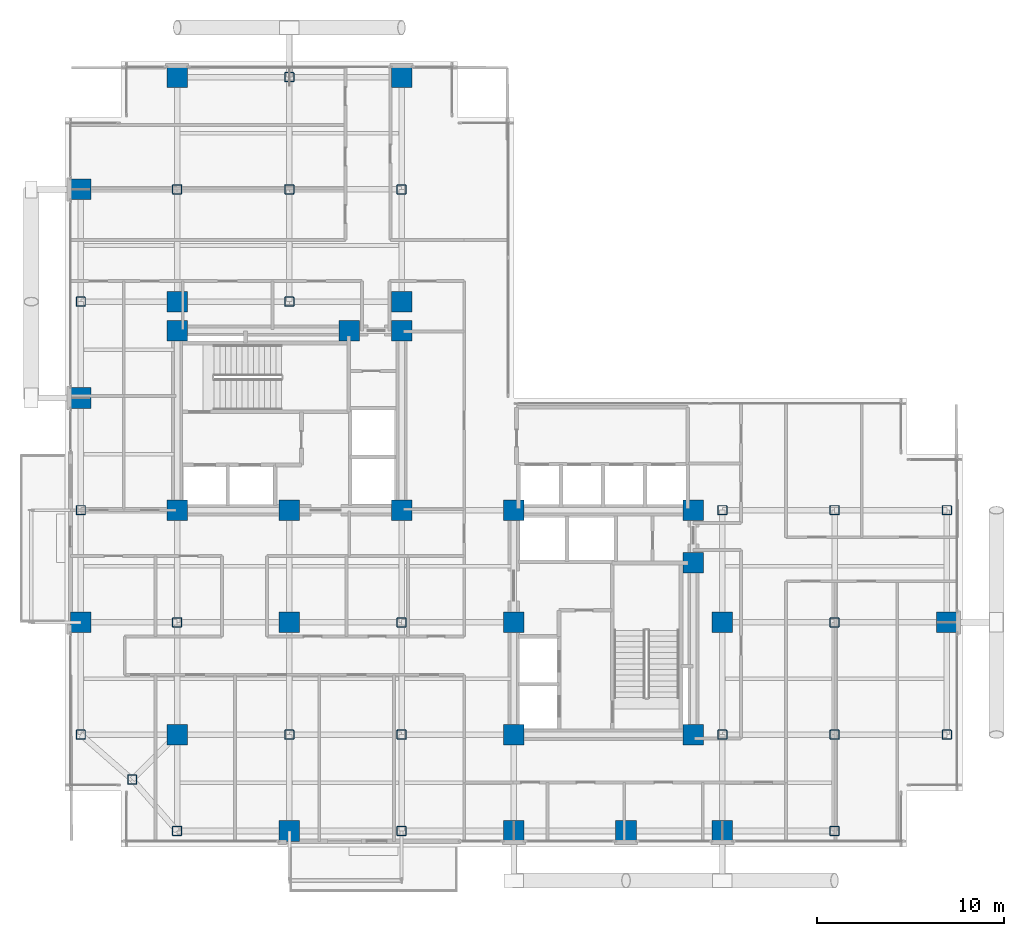
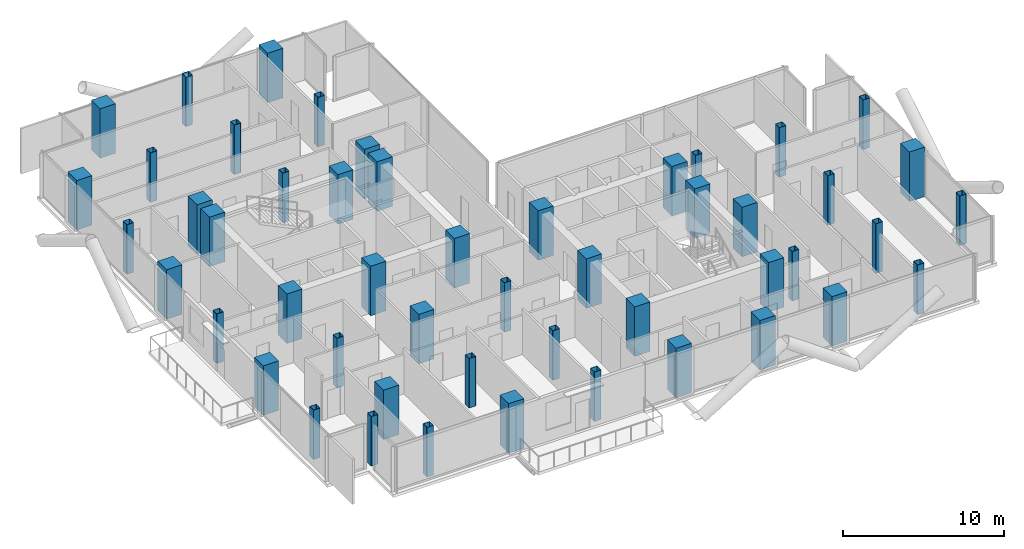
# One storey, part 1 of 24: 50 columns.
"""IFC4 building model written with IfcOpenShell, lengths in metres."""

import ifcopenshell
import ifcopenshell.guid

model = None  # the IFC model being written
_history = None  # IfcOwnerHistory: only IFC2X3 demands one
_inside = {}  # id of a spatial element -> (the spatial element, [elements in it])
_under = {}  # id of a project, library or spatial element -> (it, [spatial elements below it])
_declared = {}  # id of a project -> (the project, [libraries it declares])
_typed = {}  # id of a type object -> (the type object, [elements of that type])
_made_of = {}  # id of a material, layer set ... -> (it, [elements and type objects made of it])


def new_model(schema):
    """Start an empty IFC model of exactly this schema.

    Asked for "IFC4X3", IfcOpenShell would pick the latest addendum, in which some entities
    have other attributes; the version numbers below select the first issue.
    IFC2X3 requires an IfcOwnerHistory on every rooted entity: one is made here for all.
    """
    global model, _history
    if schema == "IFC4X3":
        model = ifcopenshell.file(schema_version=(4, 3, 0, 0))
    else:
        model = ifcopenshell.file(schema=schema)
    _inside.clear()
    _under.clear()
    _declared.clear()
    _typed.clear()
    _made_of.clear()
    _history = None
    if model.schema == "IFC2X3":
        org = make("IfcOrganization", Name="unknown")
        user = make(
            "IfcPersonAndOrganization",
            ThePerson=make("IfcPerson", FamilyName="unknown"),
            TheOrganization=org,
        )
        app = make(
            "IfcApplication",
            ApplicationDeveloper=org,
            Version="unknown",
            ApplicationFullName="unknown",
            ApplicationIdentifier="unknown",
        )
        _history = make(
            "IfcOwnerHistory",
            OwningUser=user,
            OwningApplication=app,
            ChangeAction="ADDED",
            CreationDate=0,
        )
    return model


def make(cls, **values):
    """One entity of the class cls with the attributes given. An attribute that is None is left unset."""
    return model.create_entity(
        cls, **{name: value for name, value in values.items() if value is not None}
    )


def rooted(cls, **values):
    """An entity with a GlobalId (a new one), such as an element, a storey or a relation."""
    return make(cls, GlobalId=ifcopenshell.guid.new(), OwnerHistory=_history, **values)


def si_unit(unit_type, name, prefix=None):
    """IfcSIUnit, for example si_unit("LENGTHUNIT", "METRE", prefix="MILLI")."""
    return make("IfcSIUnit", UnitType=unit_type, Prefix=prefix, Name=name)


def assignment(units):
    """IfcUnitAssignment: the units of a project."""
    return None if units is None else make("IfcUnitAssignment", Units=units)


def point(xyz):
    """IfcCartesianPoint."""
    return None if xyz is None else make("IfcCartesianPoint", Coordinates=xyz)


def direction(xyz):
    """IfcDirection."""
    return None if xyz is None else make("IfcDirection", DirectionRatios=xyz)


def frame(location, z_axis=None, x_axis=None):
    """IfcAxis2Placement3D, a coordinate frame: its origin and axes. An axis left out is left unset."""
    return make(
        "IfcAxis2Placement3D",
        Location=point(location),
        Axis=direction(z_axis),
        RefDirection=direction(x_axis),
    )


def frame_2d(location, x_axis=None):
    """IfcAxis2Placement2D, a coordinate frame in the plane: its origin and x axis."""
    return make(
        "IfcAxis2Placement2D", Location=point(location), RefDirection=direction(x_axis)
    )


def origin():
    """The frame at (0, 0, 0) with its axes left unset."""
    return frame((0.0, 0.0, 0.0))


def origin_2d():
    """The frame at (0, 0) in the plane with its x axis left unset."""
    return frame_2d((0.0, 0.0))


def place(relative_to, where):
    """IfcLocalPlacement: puts the frame where relative to a parent placement (None: the world)."""
    return make(
        "IfcLocalPlacement", PlacementRelTo=relative_to, RelativePlacement=where
    )


def context(
    kind, dimensions, precision=None, world=None, true_north=None, identifier=None
):
    """IfcGeometricRepresentationContext, for example the 3D "Model" context."""
    return make(
        "IfcGeometricRepresentationContext",
        ContextIdentifier=identifier,
        ContextType=kind,
        CoordinateSpaceDimension=dimensions,
        Precision=precision,
        WorldCoordinateSystem=world,
        TrueNorth=true_north,
    )


def subcontext(parent, identifier, kind, view, scale=None):
    """IfcGeometricRepresentationSubContext, for example "Body" below "Model"."""
    return make(
        "IfcGeometricRepresentationSubContext",
        ContextIdentifier=identifier,
        ContextType=kind,
        ParentContext=parent,
        TargetScale=scale,
        TargetView=view,
    )


def project(units=None, contexts=None):
    """IfcProject with its units and contexts."""
    return rooted(
        "IfcProject",
        Name="project",
        RepresentationContexts=contexts,
        UnitsInContext=assignment(units),
    )


def spatial(cls, under=None, at=None, **own):
    """A site, building, storey or space (cls), placed at a placement, below another one or the project."""
    s = rooted(cls, ObjectPlacement=at, **own)
    if under is not None:
        _under.setdefault(under.id(), (under, []))[1].append(s)
    return s


def profile(cls, at=None, kind="AREA", **sizes):
    """A parametric profile (cls). Its sizes go by their IFC names, for example OverallWidth=200.0."""
    return make(cls, ProfileType=kind, Position=at, **sizes)


def rectangle(**sizes):
    """IfcRectangleProfileDef."""
    return profile("IfcRectangleProfileDef", **sizes)


def hollow_rectangle(**sizes):
    """IfcRectangleHollowProfileDef."""
    return profile("IfcRectangleHollowProfileDef", **sizes)


def extrude(swept, where, along, depth):
    """IfcExtrudedAreaSolid: the profile swept, set in the frame where, extruded along a direction by depth."""
    return make(
        "IfcExtrudedAreaSolid",
        SweptArea=swept,
        Position=where,
        ExtrudedDirection=direction(along),
        Depth=depth,
    )


def shape(context_of_items, identifier, shape_type, items):
    """IfcShapeRepresentation: the items that make up one representation, for example the "Body"."""
    return make(
        "IfcShapeRepresentation",
        ContextOfItems=context_of_items,
        RepresentationIdentifier=identifier,
        RepresentationType=shape_type,
        Items=items,
    )


def material(Name=None, Category=None):
    """IfcMaterial."""
    return make("IfcMaterial", Name=Name, Category=Category)


def material_profile(
    of_material, cross_section, Name=None, Category=None, Priority=None
):
    """IfcMaterialProfile: a cross section and its material."""
    return make(
        "IfcMaterialProfile",
        Name=Name,
        Material=of_material,
        Profile=cross_section,
        Priority=Priority,
        Category=Category,
    )


def profile_set(profiles, Name=None, composite=None):
    """IfcMaterialProfileSet."""
    return make(
        "IfcMaterialProfileSet",
        Name=Name,
        MaterialProfiles=profiles,
        CompositeProfile=composite,
    )


def made_of(thing, what):
    """Note that an element or type object is made of a material, layer set ...; save() writes the relation."""
    if what is not None:
        _made_of.setdefault(what.id(), (what, []))[1].append(thing)
    return thing


def type_object(cls, material=None, **own):
    """A type object (cls), such as IfcWallType, which elements share."""
    return made_of(rooted(cls, **own), material)


def element(
    cls,
    number,
    at=None,
    inside=None,
    cuts=None,
    type_object=None,
    material=None,
    context=None,
    identifier="Body",
    shape_type=None,
    held_by="IfcProductDefinitionShape",
    body=None,
    shapes=None,
    **own,
):
    """One element of the class cls, such as IfcWall. Its Tag is "e" and its number.

    at: its placement. inside: the storey or other place that contains it. cuts: it is an
    opening in that element (IfcRelVoidsElement). A single representation is given by context,
    identifier, shape_type and body (its items); several are given by shapes. held_by: the class
    of the entity that holds the representations. save() writes the other relations.
    """
    e = rooted(cls, Tag="e%d" % number, ObjectPlacement=at, **own)
    if body is not None:
        shapes = [shape(context, identifier, shape_type, body)]
    if shapes is not None:
        e.Representation = make(held_by, Representations=shapes)
    if inside is not None:
        _inside.setdefault(inside.id(), (inside, []))[1].append(e)
    if cuts is not None:
        rooted(
            "IfcRelVoidsElement", RelatingBuildingElement=cuts, RelatedOpeningElement=e
        )
    if type_object is not None:
        _typed.setdefault(type_object.id(), (type_object, []))[1].append(e)
    return made_of(e, material)


def aggregate(whole, parts):
    """IfcRelAggregates: a whole, such as a stair, and the parts it consists of."""
    return rooted("IfcRelAggregates", RelatingObject=whole, RelatedObjects=parts)


def save(model, path):
    """Write the relations noted so far, then the file.

    IfcRelAggregates (storeys below a building ...), IfcRelContainedInSpatialStructure (elements
    in a storey), IfcRelDefinesByType, IfcRelAssociatesMaterial and IfcRelDeclares: one each for
    every whole, place, type object, material and project.
    """
    for whole, parts in _under.values():
        aggregate(whole, parts)
    for where, things in _inside.values():
        rooted(
            "IfcRelContainedInSpatialStructure",
            RelatedElements=things,
            RelatingStructure=where,
        )
    for kind, things in _typed.values():
        rooted("IfcRelDefinesByType", RelatedObjects=things, RelatingType=kind)
    for what, things in _made_of.values():
        rooted("IfcRelAssociatesMaterial", RelatedObjects=things, RelatingMaterial=what)
    for by, libraries in _declared.values():
        rooted("IfcRelDeclares", RelatingContext=by, RelatedDefinitions=libraries)
    model.write(path)


model = new_model("IFC4")

# Units and contexts
model_context = context("Model", 3, precision=1e-05, world=origin(), true_north=direction((0.0, 1.0)))
body_context = subcontext(model_context, "Body", "Model", "MODEL_VIEW")
ifc_project = project(units=[si_unit("LENGTHUNIT", "METRE"), si_unit("AREAUNIT", "SQUARE_METRE"), si_unit("VOLUMEUNIT", "CUBIC_METRE"), si_unit("PLANEANGLEUNIT", "RADIAN"), si_unit("MASSUNIT", "GRAM", prefix="KILO"), si_unit("THERMODYNAMICTEMPERATUREUNIT", "KELVIN"), si_unit("POWERUNIT", "WATT")], contexts=[model_context])

# Site, building, storey
site_placement = place(None, origin())
site = spatial("IfcSite", under=ifc_project, at=site_placement, CompositionType="ELEMENT")
building_placement = place(site_placement, origin())
building = spatial("IfcBuilding", under=site, at=building_placement, Name="Svarakhadi Broadcast Tower", CompositionType="ELEMENT")
storey_placement = place(building_placement, frame((0.0, 0.0, 160.64990234375)))
storey = spatial("IfcBuildingStorey", under=building, at=storey_placement, Name="L39", CompositionType="ELEMENT", Elevation=160.64990234375)

# Columns
ifc_material_1 = material(Name="Concrete C50/60 (IS 456 M60)", Category="concrete")
ifc_material_profile_1 = material_profile(ifc_material_1, rectangle(XDim=1.10009765625, YDim=1.10009765625, at=origin_2d()), Name="RC 1100x1100")
ifc_profile_set_1 = profile_set([ifc_material_profile_1], Name="Concrete C50/60 (IS 456 M60)")
column_type_1 = type_object("IfcColumnType", Name="Col_RC1100", PredefinedType="COLUMN", material=ifc_profile_set_1)
for number, where, z_axis, x_axis, name in (
    (1, (6.0, 18.0, 0.0), (0.0, 0.0, 1.0), (1.0, 0.0, 0.0), "L39 Column CW1"),
    (2, (12.0, 18.0, 0.0), (0.0, 0.0, 1.0), (1.0, 0.0, 0.0), "L39 Column CW2"),
    (3, (18.0, 18.0, 0.0), (0.0, 0.0, 1.0), (1.0, 0.0, 0.0), "L39 Column CW3"),
    (4, (6.0, 27.60009765625, 0.0), (0.0, 0.0, 1.0), (1.0, 0.0, 0.0), "L39 Column CW4"),
    (5, (15.199951171875, 27.60009765625, 0.0), (0.0, 0.0, 1.0), (1.0, 0.0, 0.0), "L39 Column CW5"),
    (6, (18.0, 27.60009765625, 0.0), (0.0, 0.0, 1.0), (1.0, 0.0, 0.0), "L39 Column CW6"),
    (7, (24.0, 6.0, 0.0), (0.0, 0.0, 1.0), (1.0, 0.0, 0.0), "L39 Column CE1"),
    (8, (24.0, 12.0, 0.0), (0.0, 0.0, 1.0), (1.0, 0.0, 0.0), "L39 Column CE2"),
    (9, (24.0, 18.0, 0.0), (0.0, 0.0, 1.0), (1.0, 0.0, 0.0), "L39 Column CE3"),
    (10, (33.60009765625, 6.0, 0.0), (0.0, 0.0, 1.0), (1.0, 0.0, 0.0), "L39 Column CE4"),
    (11, (33.60009765625, 15.199951171875, 0.0), (0.0, 0.0, 1.0), (1.0, 0.0, 0.0), "L39 Column CE5"),
    (12, (33.60009765625, 18.0, 0.0), (0.0, 0.0, 1.0), (1.0, 0.0, 0.0), "L39 Column CE6"),
    (13, (0.85009765625, 12.0, 0.0), (0.0, 0.0, 1.0), (1.0, 0.0, 0.0), "L39 Column G04"),
    (14, (0.85009765625, 24.0, 0.0), (0.0, 0.0, 1.0), (1.0, 0.0, 0.0), "L39 Column G06"),
    (15, (0.85009765625, 35.14990234375, 0.0), (0.0, 0.0, 1.0), (1.0, 0.0, 0.0), "L39 Column G08"),
    (16, (6.0, 6.0, 0.0), (0.0, 0.0, 1.0), (1.0, 0.0, 0.0), "L39 Column G12"),
    (17, (6.0, 29.14990234375, 0.0), (0.0, 0.0, 1.0), (1.0, 0.0, 0.0), "L39 Column G14"),
    (18, (6.0, 41.14990234375, 0.0), (0.0, 0.0, 1.0), (1.0, 0.0, 0.0), "L39 Column G16"),
    (19, (12.0, 0.85009765625, 0.0), (0.0, 0.0, 1.0), (1.0, 0.0, 0.0), "L39 Column G18"),
    (20, (12.0, 12.0, 0.0), (0.0, 0.0, 1.0), (1.0, 0.0, 0.0), "L39 Column G20"),
    (21, (18.0, 29.14990234375, 0.0), (0.0, 0.0, 1.0), (1.0, 0.0, 0.0), "L39 Column G28"),
    (22, (18.0, 41.14990234375, 0.0), (0.0, 0.0, 1.0), (1.0, 0.0, 0.0), "L39 Column G30"),
    (23, (24.0, 0.85009765625, 0.0), (0.0, 0.0, 1.0), (1.0, 0.0, 0.0), "L39 Column G32"),
    (24, (30.0, 0.85009765625, 0.0), (0.0, 0.0, 1.0), (1.0, 0.0, 0.0), "L39 Column G36"),
    (25, (35.14990234375, 0.85009765625, 0.0), (0.0, 0.0, 1.0), (1.0, 0.0, 0.0), "L39 Column G38"),
    (26, (35.14990234375, 12.0, 0.0), (0.0, 0.0, 1.0), (1.0, 0.0, 0.0), "L39 Column G40"),
    (27, (47.14990234375, 12.0, 0.0), (0.0, 0.0, 1.0), (1.0, 0.0, 0.0), "L39 Column G52"),
):
    element("IfcColumn", number, at=place(storey_placement, frame(where, z_axis=z_axis, x_axis=x_axis)), inside=storey, type_object=column_type_1, Name=name, PredefinedType="COLUMN", context=body_context, shape_type="SweptSolid", body=[
        extrude(rectangle(XDim=1.10009765625, YDim=1.10009765625, at=origin_2d()), origin(), (0.0, 0.0, 1.0), 3.75),
    ])
ifc_material_2 = material(Name="Steel S460ML (IS 2062 E450BR)", Category="steel")
ifc_material_profile_2 = material_profile(ifc_material_2, hollow_rectangle(XDim=0.5, YDim=0.5, WallThickness=0.02490234375, InnerFilletRadius=0.02490234375, OuterFilletRadius=0.0400390625, at=origin_2d()), Name="SHS 500x500x25")
ifc_profile_set_2 = profile_set([ifc_material_profile_2], Name="Steel S460ML (IS 2062 E450BR)")
column_type_2 = type_object("IfcColumnType", Name="Col_SHS500", PredefinedType="COLUMN", material=ifc_profile_set_2)
for number, where, z_axis, x_axis, name in (
    (28, (3.60009765625, 3.60009765625, 0.0), (0.0, 0.0, 1.0), (1.0, 0.0, 0.0), "L39 Column G01"),
    (29, (0.85009765625, 6.0, 0.0), (0.0, 0.0, 1.0), (1.0, 0.0, 0.0), "L39 Column G03"),
    (30, (0.85009765625, 18.0, 0.0), (0.0, 0.0, 1.0), (1.0, 0.0, 0.0), "L39 Column G05"),
    (31, (0.85009765625, 29.14990234375, 0.0), (0.0, 0.0, 1.0), (1.0, 0.0, 0.0), "L39 Column G07"),
    (32, (6.0, 0.85009765625, 0.0), (0.0, 0.0, 1.0), (1.0, 0.0, 0.0), "L39 Column G11"),
    (33, (6.0, 12.0, 0.0), (0.0, 0.0, 1.0), (1.0, 0.0, 0.0), "L39 Column G13"),
    (34, (6.0, 35.14990234375, 0.0), (0.0, 0.0, 1.0), (1.0, 0.0, 0.0), "L39 Column G15"),
    (35, (12.0, 6.0, 0.0), (0.0, 0.0, 1.0), (1.0, 0.0, 0.0), "L39 Column G19"),
    (36, (12.0, 29.14990234375, 0.0), (0.0, 0.0, 1.0), (1.0, 0.0, 0.0), "L39 Column G21"),
    (37, (12.0, 35.14990234375, 0.0), (0.0, 0.0, 1.0), (1.0, 0.0, 0.0), "L39 Column G22"),
    (38, (12.0, 41.14990234375, 0.0), (0.0, 0.0, 1.0), (1.0, 0.0, 0.0), "L39 Column G23"),
    (39, (18.0, 0.85009765625, 0.0), (0.0, 0.0, 1.0), (1.0, 0.0, 0.0), "L39 Column G25"),
    (40, (18.0, 6.0, 0.0), (0.0, 0.0, 1.0), (1.0, 0.0, 0.0), "L39 Column G26"),
    (41, (18.0, 12.0, 0.0), (0.0, 0.0, 1.0), (1.0, 0.0, 0.0), "L39 Column G27"),
    (42, (18.0, 35.14990234375, 0.0), (0.0, 0.0, 1.0), (1.0, 0.0, 0.0), "L39 Column G29"),
    (43, (35.14990234375, 6.0, 0.0), (0.0, 0.0, 1.0), (1.0, 0.0, 0.0), "L39 Column G39"),
    (44, (35.14990234375, 18.0, 0.0), (0.0, 0.0, 1.0), (1.0, 0.0, 0.0), "L39 Column G41"),
    (45, (41.14990234375, 0.85009765625, 0.0), (0.0, 0.0, 1.0), (1.0, 0.0, 0.0), "L39 Column G43"),
    (46, (41.14990234375, 6.0, 0.0), (0.0, 0.0, 1.0), (1.0, 0.0, 0.0), "L39 Column G44"),
    (47, (41.14990234375, 12.0, 0.0), (0.0, 0.0, 1.0), (1.0, 0.0, 0.0), "L39 Column G45"),
    (48, (41.14990234375, 18.0, 0.0), (0.0, 0.0, 1.0), (1.0, 0.0, 0.0), "L39 Column G46"),
    (49, (47.14990234375, 6.0, 0.0), (0.0, 0.0, 1.0), (1.0, 0.0, 0.0), "L39 Column G51"),
    (50, (47.14990234375, 18.0, 0.0), (0.0, 0.0, 1.0), (1.0, 0.0, 0.0), "L39 Column G53"),
):
    element("IfcColumn", number, at=place(storey_placement, frame(where, z_axis=z_axis, x_axis=x_axis)), inside=storey, type_object=column_type_2, Name=name, PredefinedType="COLUMN", context=body_context, shape_type="SweptSolid", body=[
        extrude(hollow_rectangle(XDim=0.5, YDim=0.5, WallThickness=0.02490234375, InnerFilletRadius=0.02490234375, OuterFilletRadius=0.0400390625, at=origin_2d()), origin(), (0.0, 0.0, 1.0), 3.75),
    ])

save(model, "model.ifc")
